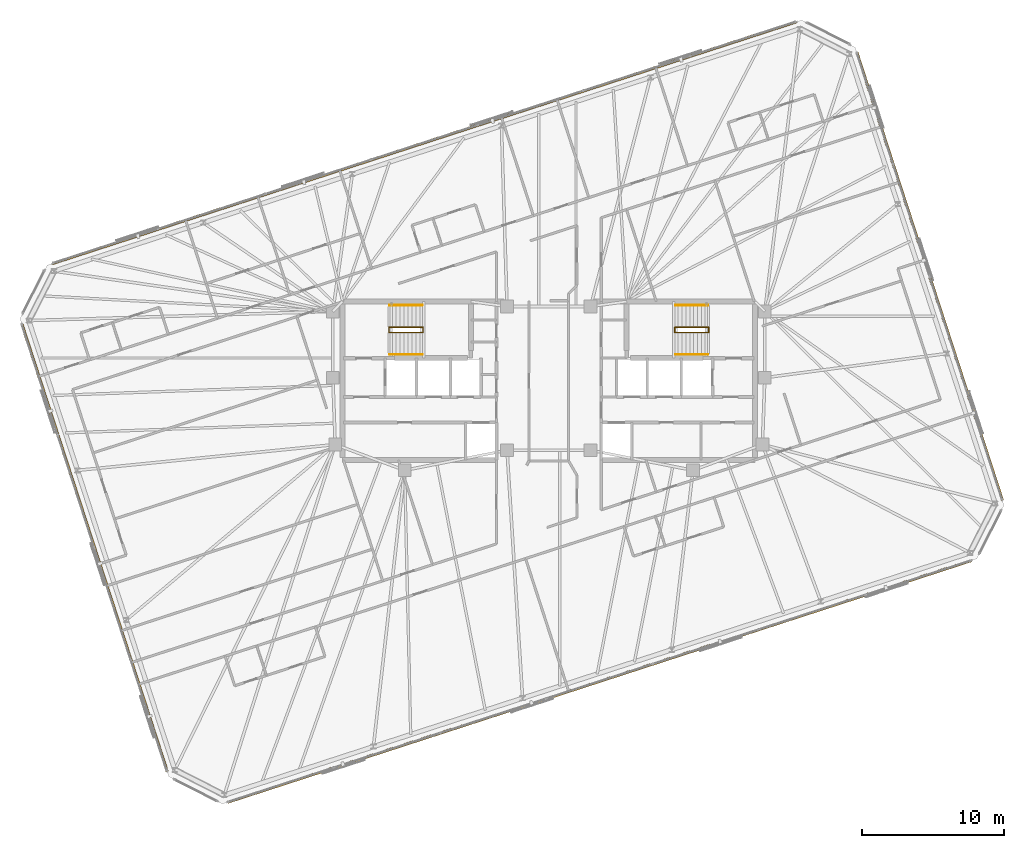
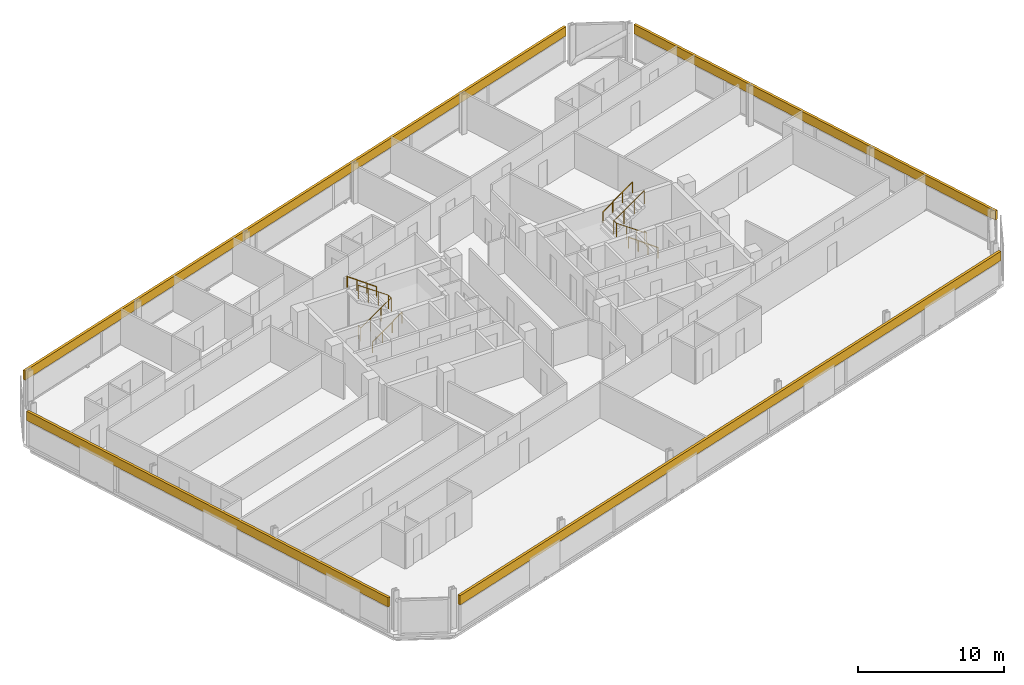
# One storey, part 19 of 19: 6 railings, 4 coverings.
"""IFC4 building model written with IfcOpenShell, lengths in metres."""

from ifc_helpers import new_model, si_unit, direction, frame, origin, origin_2d, place, context, subcontext, project, spatial, polyline, circle, outline, extrude, material, layer, layer_set, type_object, element, save


model = new_model("IFC4")

# Units and contexts
model_context = context("Model", 3, precision=1e-05, world=origin(), true_north=direction((0.0, 1.0)))
body_context = subcontext(model_context, "Body", "Model", "MODEL_VIEW")
ifc_project = project(units=[si_unit("LENGTHUNIT", "METRE"), si_unit("AREAUNIT", "SQUARE_METRE"), si_unit("VOLUMEUNIT", "CUBIC_METRE"), si_unit("PLANEANGLEUNIT", "RADIAN"), si_unit("MASSUNIT", "GRAM", prefix="KILO")], contexts=[model_context])

# Site, building, storey
site_placement = place(None, origin())
site = spatial("IfcSite", under=ifc_project, at=site_placement, CompositionType="ELEMENT")
building_placement = place(site_placement, origin())
building = spatial("IfcBuilding", under=site, at=building_placement, Name="Menara Jurai Vektor", CompositionType="ELEMENT")
storey_placement = place(building_placement, frame((0.0, 0.0, 251.10009765625)))
storey = spatial("IfcBuildingStorey", under=building, at=storey_placement, Name="L67", CompositionType="ELEMENT", Elevation=251.10009765625)

# Coverings
ifc_material_1 = material(Name="Insulated Pale Aluminium Spandrel Cladding", Category="aluminium")
ifc_layer = layer(ifc_material_1, 0.199951171875)
ifc_layer_set = layer_set([ifc_layer], Name="Insulated Pale Aluminium Spandrel Cladding")
covering_type = type_object("IfcCoveringType", Name="ENV-COV-SPANDREL", PredefinedType="CLADDING", material=ifc_layer_set)
covering_1_placement = place(storey_placement, frame((0.0, 0.0, 2.1748046875)))
element("IfcCovering", 1, at=covering_1_placement, inside=storey, type_object=covering_type, Name="Insulated Pale-Metal Spandrel Band L67 F01", PredefinedType="CLADDING", context=body_context, shape_type="SweptSolid", body=[
    extrude(outline(polyline([(-22.71875, -29.6611328125), (-22.656982421875, -29.851318359375), (29.87939453125, -12.78125), (29.817626953125, -12.591064453125), (-22.71875, -29.6611328125)])), origin(), (0.0, 0.0, 1.0), 0.77001953125),
])
covering_2_placement = place(storey_placement, frame((0.0, 0.0, 2.1748046875)))
element("IfcCovering", 2, at=covering_2_placement, inside=storey, type_object=covering_type, Name="Insulated Pale-Metal Spandrel Band L67 F03", PredefinedType="CLADDING", context=body_context, shape_type="SweptSolid", body=[
    extrude(outline(polyline([(31.923583984375, -8.4580078125), (32.11376953125, -8.39599609375), (21.842041015625, 23.217041015625), (21.65185546875, 23.1552734375), (31.923583984375, -8.4580078125)])), origin(), (0.0, 0.0, 1.0), 0.77001953125),
])
covering_3_placement = place(storey_placement, frame((0.0, 0.0, 2.1748046875)))
element("IfcCovering", 3, at=covering_3_placement, inside=storey, type_object=covering_type, Name="Insulated Pale-Metal Spandrel Band L67 F05", PredefinedType="CLADDING", context=body_context, shape_type="SweptSolid", body=[
    extrude(outline(polyline([(17.518798828125, 25.260986328125), (17.456787109375, 25.451416015625), (-35.079345703125, 8.381103515625), (-35.017578125, 8.19091796875), (17.518798828125, 25.260986328125)])), origin(), (0.0, 0.0, 1.0), 0.77001953125),
])
covering_4_placement = place(storey_placement, frame((0.0, 0.0, 2.1748046875)))
element("IfcCovering", 4, at=covering_4_placement, inside=storey, type_object=covering_type, Name="Insulated Pale-Metal Spandrel Band L67 F07", PredefinedType="CLADDING", context=body_context, shape_type="SweptSolid", body=[
    extrude(outline(polyline([(-37.12353515625, 4.057861328125), (-37.313720703125, 3.99609375), (-27.0419921875, -27.616943359375), (-26.851806640625, -27.55517578125), (-37.12353515625, 4.057861328125)])), origin(), (0.0, 0.0, 1.0), 0.77001953125),
])

# Railings
ifc_material_2 = material(Name="Painted Galvanised Steel Balustrade", Category="steel")
railing_type_1 = type_object("IfcRailingType", Name="RAIL-STAIR-GUARD", PredefinedType="GUARDRAIL", material=ifc_material_2)
railing_1_placement = place(storey_placement, frame((-11.2900390625, 3.780029296875, 0.0)))
element("IfcRailing", 5, at=railing_1_placement, inside=storey, type_object=railing_type_1, Name="ST1 Stair Guardrail 1 L67", PredefinedType="GUARDRAIL", context=body_context, shape_type="SweptSolid", body=[
    extrude(circle(Radius=0.02392578125, at=origin_2d()), frame((0.0, 0.0, 1.1259765625), z_axis=(0.0, -1.0, 0.0), x_axis=(1.0, 0.0, 0.0)), (0.0, 0.0, 1.0), 0.360107421875),
    extrude(circle(Radius=0.02392578125, at=origin_2d()), frame((0.0, -0.360107421875, 1.1259765625), z_axis=(0.820081434478, 0.0, 0.572246835573), x_axis=(0.0, 1.0, 0.0)), (0.0, 0.0, 1.0), 2.9267578125),
    extrude(circle(Radius=0.02392578125, at=origin_2d()), frame((2.400146484375, -0.360107421875, 2.80078125), z_axis=(0.0, 1.0, 0.0), x_axis=(-1.0, 0.0, 0.0)), (0.0, 0.0, 1.0), 0.360107421875),
    extrude(circle(Radius=0.02392578125, at=origin_2d()), frame((2.400146484375, 0.0, 2.80078125), z_axis=(-0.820042287322, 0.0, 0.572302932898), x_axis=(0.0, -1.0, 0.0)), (0.0, 0.0, 1.0), 2.9267578125),
    extrude(circle(Radius=0.02099609375, at=origin_2d()), origin(), (0.0, 0.0, 1.0), 1.101806640625),
    extrude(circle(Radius=0.02099609375, at=origin_2d()), frame((0.0, -0.360107421875, 0.0)), (0.0, 0.0, 1.0), 1.101806640625),
    extrude(circle(Radius=0.02099609375, at=origin_2d()), frame((0.800048828125, -0.360107421875, 0.558349609375)), (0.0, 0.0, 1.0), 1.101806640625),
    extrude(circle(Radius=0.02099609375, at=origin_2d()), frame((1.60009765625, -0.360107421875, 1.116455078125)), (0.0, 0.0, 1.0), 1.101806640625),
    extrude(circle(Radius=0.02099609375, at=origin_2d()), frame((2.400146484375, -0.360107421875, 1.6748046875)), (0.0, 0.0, 1.0), 1.101806640625),
    extrude(circle(Radius=0.02099609375, at=origin_2d()), frame((2.400146484375, 0.0, 1.6748046875)), (0.0, 0.0, 1.0), 1.101806640625),
    extrude(circle(Radius=0.02099609375, at=origin_2d()), frame((1.60009765625, 0.0, 2.233154296875)), (0.0, 0.0, 1.0), 1.101806640625),
    extrude(circle(Radius=0.02099609375, at=origin_2d()), frame((0.800048828125, 0.0, 2.79150390625)), (0.0, 0.0, 1.0), 1.101806640625),
    extrude(circle(Radius=0.02099609375, at=origin_2d()), frame((0.0, 0.0, 3.349853515625)), (0.0, 0.0, 1.0), 1.101806640625),
])
railing_2_placement = place(storey_placement, frame((11.2900390625, 3.780029296875, 0.0)))
element("IfcRailing", 6, at=railing_2_placement, inside=storey, type_object=railing_type_1, Name="ST2 Stair Guardrail 1 L67", PredefinedType="GUARDRAIL", context=body_context, shape_type="SweptSolid", body=[
    extrude(circle(Radius=0.02392578125, at=origin_2d()), frame((0.0, 0.0, 1.1259765625), z_axis=(0.0, -1.0, 0.0), x_axis=(1.0, 0.0, 0.0)), (0.0, 0.0, 1.0), 0.360107421875),
    extrude(circle(Radius=0.02392578125, at=origin_2d()), frame((0.0, -0.360107421875, 1.1259765625), z_axis=(-0.820081434478, 0.0, 0.572246835573), x_axis=(0.0, -1.0, 0.0)), (0.0, 0.0, 1.0), 2.9267578125),
    extrude(circle(Radius=0.02392578125, at=origin_2d()), frame((-2.400146484375, -0.360107421875, 2.80078125), z_axis=(0.0, 1.0, 0.0), x_axis=(-1.0, 0.0, 0.0)), (0.0, 0.0, 1.0), 0.360107421875),
    extrude(circle(Radius=0.02392578125, at=origin_2d()), frame((-2.400146484375, 0.0, 2.80078125), z_axis=(0.820042287322, 0.0, 0.572302932898), x_axis=(0.0, 1.0, 0.0)), (0.0, 0.0, 1.0), 2.9267578125),
    extrude(circle(Radius=0.02099609375, at=origin_2d()), origin(), (0.0, 0.0, 1.0), 1.101806640625),
    extrude(circle(Radius=0.02099609375, at=origin_2d()), frame((0.0, -0.360107421875, 0.0)), (0.0, 0.0, 1.0), 1.101806640625),
    extrude(circle(Radius=0.02099609375, at=origin_2d()), frame((-0.800048828125, -0.360107421875, 0.558349609375)), (0.0, 0.0, 1.0), 1.101806640625),
    extrude(circle(Radius=0.02099609375, at=origin_2d()), frame((-1.60009765625, -0.360107421875, 1.116455078125)), (0.0, 0.0, 1.0), 1.101806640625),
    extrude(circle(Radius=0.02099609375, at=origin_2d()), frame((-2.400146484375, -0.360107421875, 1.6748046875)), (0.0, 0.0, 1.0), 1.101806640625),
    extrude(circle(Radius=0.02099609375, at=origin_2d()), frame((-2.400146484375, 0.0, 1.6748046875)), (0.0, 0.0, 1.0), 1.101806640625),
    extrude(circle(Radius=0.02099609375, at=origin_2d()), frame((-1.60009765625, 0.0, 2.233154296875)), (0.0, 0.0, 1.0), 1.101806640625),
    extrude(circle(Radius=0.02099609375, at=origin_2d()), frame((-0.800048828125, 0.0, 2.79150390625)), (0.0, 0.0, 1.0), 1.101806640625),
    extrude(circle(Radius=0.02099609375, at=origin_2d()), frame((0.0, 0.0, 3.349853515625)), (0.0, 0.0, 1.0), 1.101806640625),
])
ifc_material_3 = material(Name="Brushed Stainless Steel Handrail", Category="steel")
railing_type_2 = type_object("IfcRailingType", Name="RAIL-STAIR-HAND", PredefinedType="HANDRAIL", material=ifc_material_3)
railing_3_placement = place(storey_placement, frame((-11.25, 1.860107421875, 0.0)))
element("IfcRailing", 7, at=railing_3_placement, inside=storey, type_object=railing_type_2, Name="ST1 Stair Handrail 1 L67", PredefinedType="HANDRAIL", context=body_context, shape_type="SweptSolid", body=[
    extrude(circle(Radius=0.02392578125, at=origin_2d()), frame((0.0, 0.0, 0.89599609375), z_axis=(0.810811949412, 0.0, 0.585306742393), x_axis=(0.0, 1.0, 0.0)), (0.0, 0.0, 1.0), 2.861328125),
    extrude(circle(Radius=0.02099609375, at=origin_2d()), origin(), (0.0, 0.0, 1.0), 0.871826171875),
    extrude(circle(Radius=0.02099609375, at=origin_2d()), frame((0.7734375, 0.0, 0.558349609375)), (0.0, 0.0, 1.0), 0.871826171875),
    extrude(circle(Radius=0.02099609375, at=origin_2d()), frame((1.546630859375, 0.0, 1.116455078125)), (0.0, 0.0, 1.0), 0.871826171875),
    extrude(circle(Radius=0.02099609375, at=origin_2d()), frame((2.320068359375, 0.0, 1.6748046875)), (0.0, 0.0, 1.0), 0.871826171875),
])
railing_4_placement = place(storey_placement, frame((-8.929931640625, 5.340087890625, 1.6748046875)))
element("IfcRailing", 8, at=railing_4_placement, inside=storey, type_object=railing_type_2, Name="ST1 Stair Handrail 2 L67", PredefinedType="HANDRAIL", context=body_context, shape_type="SweptSolid", body=[
    extrude(circle(Radius=0.02392578125, at=origin_2d()), frame((0.0, 0.0, 0.89599609375), z_axis=(-0.810771458067, 0.0, 0.585362830032), x_axis=(0.0, -1.0, 0.0)), (0.0, 0.0, 1.0), 2.861572265625),
    extrude(circle(Radius=0.02099609375, at=origin_2d()), origin(), (0.0, 0.0, 1.0), 0.871826171875),
    extrude(circle(Radius=0.02099609375, at=origin_2d()), frame((-0.7734375, 0.0, 0.558349609375)), (0.0, 0.0, 1.0), 0.871826171875),
    extrude(circle(Radius=0.02099609375, at=origin_2d()), frame((-1.546630859375, 0.0, 1.11669921875)), (0.0, 0.0, 1.0), 0.871826171875),
    extrude(circle(Radius=0.02099609375, at=origin_2d()), frame((-2.320068359375, 0.0, 1.675048828125)), (0.0, 0.0, 1.0), 0.871826171875),
])
railing_5_placement = place(storey_placement, frame((11.25, 1.860107421875, 0.0)))
element("IfcRailing", 9, at=railing_5_placement, inside=storey, type_object=railing_type_2, Name="ST2 Stair Handrail 1 L67", PredefinedType="HANDRAIL", context=body_context, shape_type="SweptSolid", body=[
    extrude(circle(Radius=0.02392578125, at=origin_2d()), frame((0.0, 0.0, 0.89599609375), z_axis=(-0.810811949412, 0.0, 0.585306742393), x_axis=(0.0, -1.0, 0.0)), (0.0, 0.0, 1.0), 2.861328125),
    extrude(circle(Radius=0.02099609375, at=origin_2d()), origin(), (0.0, 0.0, 1.0), 0.871826171875),
    extrude(circle(Radius=0.02099609375, at=origin_2d()), frame((-0.7734375, 0.0, 0.558349609375)), (0.0, 0.0, 1.0), 0.871826171875),
    extrude(circle(Radius=0.02099609375, at=origin_2d()), frame((-1.546630859375, 0.0, 1.116455078125)), (0.0, 0.0, 1.0), 0.871826171875),
    extrude(circle(Radius=0.02099609375, at=origin_2d()), frame((-2.320068359375, 0.0, 1.6748046875)), (0.0, 0.0, 1.0), 0.871826171875),
])
railing_6_placement = place(storey_placement, frame((8.929931640625, 5.340087890625, 1.6748046875)))
element("IfcRailing", 10, at=railing_6_placement, inside=storey, type_object=railing_type_2, Name="ST2 Stair Handrail 2 L67", PredefinedType="HANDRAIL", context=body_context, shape_type="SweptSolid", body=[
    extrude(circle(Radius=0.02392578125, at=origin_2d()), frame((0.0, 0.0, 0.89599609375), z_axis=(0.810771458067, 0.0, 0.585362830032), x_axis=(0.0, 1.0, 0.0)), (0.0, 0.0, 1.0), 2.861572265625),
    extrude(circle(Radius=0.02099609375, at=origin_2d()), origin(), (0.0, 0.0, 1.0), 0.871826171875),
    extrude(circle(Radius=0.02099609375, at=origin_2d()), frame((0.7734375, 0.0, 0.558349609375)), (0.0, 0.0, 1.0), 0.871826171875),
    extrude(circle(Radius=0.02099609375, at=origin_2d()), frame((1.546630859375, 0.0, 1.11669921875)), (0.0, 0.0, 1.0), 0.871826171875),
    extrude(circle(Radius=0.02099609375, at=origin_2d()), frame((2.320068359375, 0.0, 1.675048828125)), (0.0, 0.0, 1.0), 0.871826171875),
])

save(model, "model.ifc")
